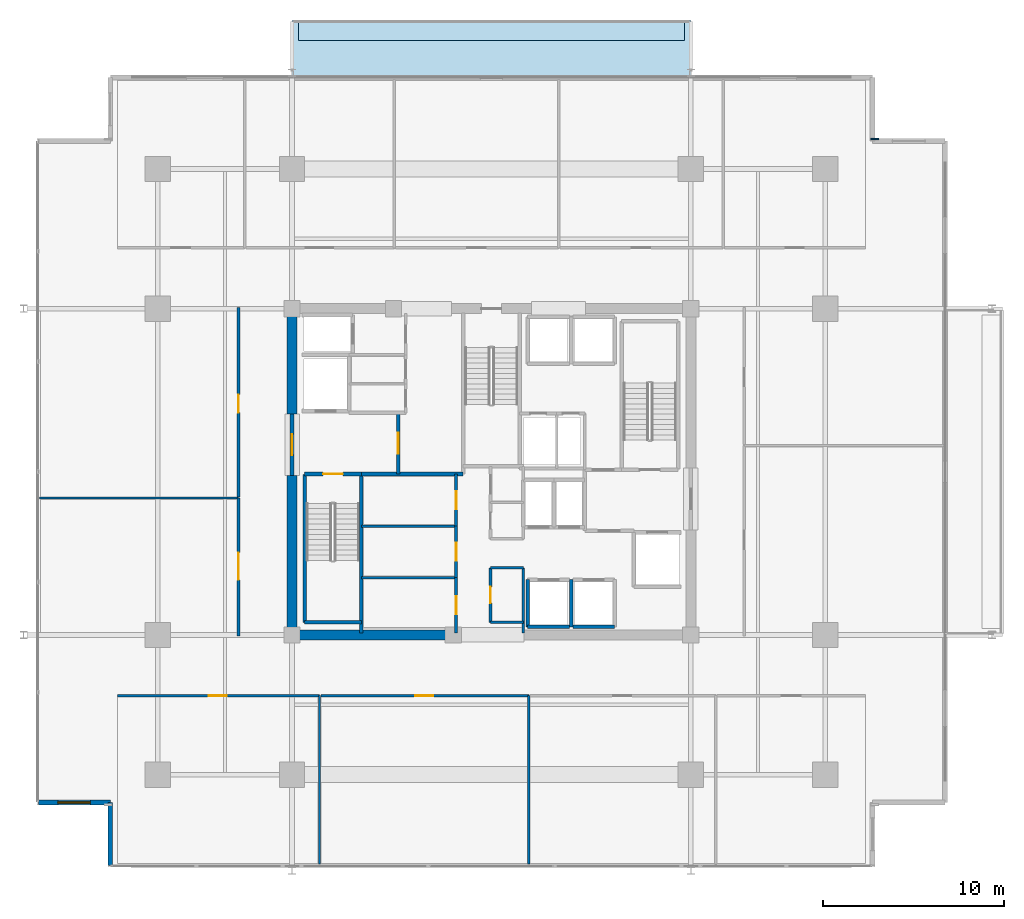
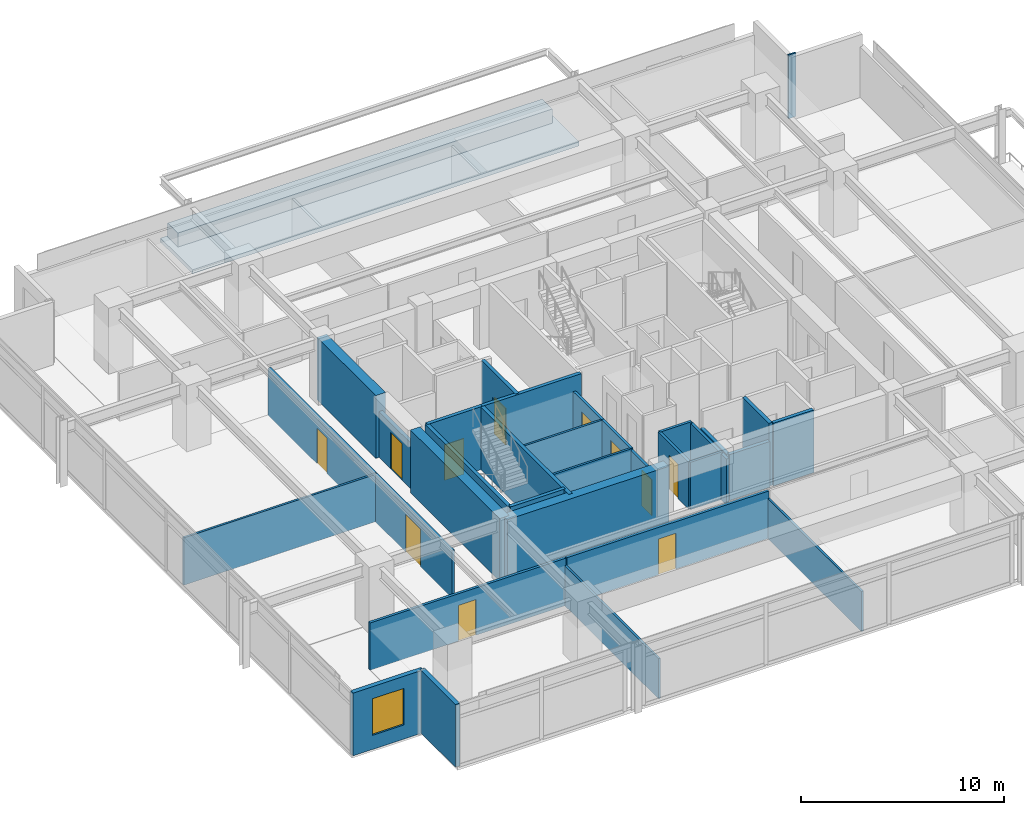
# One storey, part 14 of 21: 32 walls, 11 doors, 2 slabs, 1 plate, 1 window, 12 openings.
"""IFC4 building model written with IfcOpenShell, lengths in metres."""

from ifc_helpers import new_model, si_unit, direction, frame, frame_2d, origin, origin_2d, place, context, subcontext, project, spatial, polyline, rectangle, outline, extrude, material, layer, layer_set, type_object, element, fill, save


model = new_model("IFC4")

# Units and contexts
model_context = context("Model", 3, precision=1e-05, world=origin(), true_north=direction((0.0, 1.0)))
body_context = subcontext(model_context, "Body", "Model", "MODEL_VIEW")
ifc_project = project(units=[si_unit("LENGTHUNIT", "METRE"), si_unit("AREAUNIT", "SQUARE_METRE"), si_unit("VOLUMEUNIT", "CUBIC_METRE"), si_unit("PLANEANGLEUNIT", "RADIAN"), si_unit("MASSUNIT", "GRAM", prefix="KILO")], contexts=[model_context])

# Site, building, storey
site_placement = place(None, origin())
site = spatial("IfcSite", under=ifc_project, at=site_placement, CompositionType="ELEMENT")
building_placement = place(site_placement, origin())
building = spatial("IfcBuilding", under=site, at=building_placement, Name="Kovane Verandah Tower", CompositionType="ELEMENT")
storey_placement = place(building_placement, frame((0.0, 0.0, 209.199951171875)))
storey = spatial("IfcBuildingStorey", under=building, at=storey_placement, Name="L48", CompositionType="ELEMENT", Elevation=209.199951171875)

# Plate
ifc_material_1 = material(Name="Timber-Toned Subtropical Aluminium Vertical Blade", Category="wood")
ifc_layer_1 = layer(ifc_material_1, 0.090087890625)
ifc_layer_set_1 = layer_set([ifc_layer_1], Name="Timber-Toned Subtropical Aluminium Vertical Blade")
plate_type = type_object("IfcPlateType", Name="PL-FIN-90", PredefinedType="USERDEFINED", material=ifc_layer_set_1)
plate_placement = place(storey_placement, frame((61.137939453125, 45.861572265625, -0.02001953125), z_axis=(0.0, 0.0, 1.0), x_axis=(1.0, 0.0, 0.0)))
element("IfcPlate", 1, at=plate_placement, inside=storey, type_object=plate_type, Name="L48 NE Timber-Toned Vertical Corner Fin", ObjectType="FIN", PredefinedType="USERDEFINED", context=body_context, shape_type="SweptSolid", body=[
    extrude(rectangle(XDim=0.419921875, YDim=0.090087890625, at=origin_2d()), origin(), (0.0, 0.0, 1.0), 3.8349609375),
])

# Slabs
ifc_material_2 = material(Name="Concrete C45/55", Category="concrete")
ifc_layer_2 = layer(ifc_material_2, 0.239990234375)
ifc_layer_set_2 = layer_set([ifc_layer_2], Name="Concrete C45/55")
slab_type_1 = type_object("IfcSlabType", Name="SL-BALC-240", PredefinedType="FLOOR", material=ifc_layer_set_2)
slab_1_placement = place(storey_placement, frame((0.0, 0.0, -0.239990234375)))
element("IfcSlab", 2, at=slab_1_placement, inside=storey, type_object=slab_type_1, Name="L48 N Planted Verandah Balcony Slab", PredefinedType="FLOOR", context=body_context, shape_type="SweptSolid", body=[
    extrude(outline(polyline([(29.0, 49.24169921875), (51.0, 49.24169921875), (51.0, 52.3916015625), (29.0, 52.3916015625), (29.0, 49.24169921875)])), origin(), (0.0, 0.0, 1.0), 0.239990234375),
])
ifc_material_3 = material(Name="Architectural Precast Concrete C45/55 Planter Trough", Category="concrete")
ifc_layer_3 = layer(ifc_material_3, 0.219970703125)
ifc_layer_set_3 = layer_set([ifc_layer_3], Name="Architectural Precast Concrete C45/55 Planter Trough")
slab_type_2 = type_object("IfcSlabType", Name="SL-PLANTER-220", PredefinedType="USERDEFINED", material=ifc_layer_set_3)
slab_2_placement = place(storey_placement, origin())
element("IfcSlab", 3, at=slab_2_placement, inside=storey, type_object=slab_type_2, Name="L48 N Structural Tree Planter", ObjectType="PLANTER", PredefinedType="USERDEFINED", context=body_context, shape_type="SweptSolid", body=[
    extrude(outline(polyline([(29.35009765625, 51.29150390625), (50.64990234375, 51.29150390625), (50.64990234375, 52.29150390625), (29.35009765625, 52.29150390625), (29.35009765625, 51.29150390625)])), origin(), (0.0, 0.0, 1.0), 0.85009765625),
])

# Walls
ifc_material_4 = material(Name="Fire-Rated Gypsum Stud Partition", Category="gypsum")
ifc_layer_4 = layer(ifc_material_4, 0.14990234375)
ifc_layer_set_4 = layer_set([ifc_layer_4], Name="Fire-Rated Gypsum Stud Partition")
wall_type_1 = type_object("IfcWallType", Name="WL-COR-150", PredefinedType="PARTITIONING", material=ifc_layer_set_4)
for number, where, z_axis, x_axis, name in (
    (4, (39.949951171875, 19.199951171875, 0.0), (0.0, 0.0, 1.0), (1.0, 0.0, 0.0), "L48 Central Core Strip South Wall"),
    (5, (39.949951171875, 22.199951171875, 0.0), (0.0, 0.0, 1.0), (1.0, 0.0, 0.0), "L48 Core Cross-Passage South Wall"),
):
    element("IfcWall", number, at=place(storey_placement, frame(where, z_axis=z_axis, x_axis=x_axis)), inside=storey, type_object=wall_type_1, Name=name, PredefinedType="PARTITIONING", context=body_context, shape_type="SweptSolid", body=[
        extrude(rectangle(XDim=1.81005859375, YDim=0.14990234375, at=frame_2d((0.905029296875, 0.0))), origin(), (0.0, 0.0, 1.0), 2.85009765625),
    ])
wall_1_placement = place(storey_placement, frame((41.760009765625, 18.60009765625, 0.0), z_axis=(0.0, 0.0, 1.0), x_axis=(0.0, 1.0, 0.0)))
element("IfcWall", 6, at=wall_1_placement, inside=storey, type_object=wall_type_1, Name="L48 Central Core Strip Lower East Wall", PredefinedType="PARTITIONING", context=body_context, shape_type="SweptSolid", body=[
    extrude(rectangle(XDim=3.599853515625, YDim=0.14990234375, at=frame_2d((1.7998046875, 0.0))), origin(), (0.0, 0.0, 1.0), 2.755126953125),
])

# Wall, opening, door
wall_2_placement = place(storey_placement, frame((39.949951171875, 19.199951171875, 0.0), z_axis=(0.0, 0.0, 1.0), x_axis=(0.0, 1.0, 0.0)))
wall_2 = element("IfcWall", 7, at=wall_2_placement, inside=storey, type_object=wall_type_1, Name="L48 Male Toilet Partition", PredefinedType="PARTITIONING", context=body_context, shape_type="SweptSolid", body=[
    extrude(rectangle(XDim=3.0, YDim=0.14990234375, at=frame_2d((1.5, 0.0))), origin(), (0.0, 0.0, 1.0), 2.85009765625),
])
opening_1_placement = place(wall_2_placement, frame((1.050048828125, 0.0, 0.0)))
opening_1 = element("IfcOpeningElement", 8, at=opening_1_placement, cuts=wall_2, Name="Opening DR-L48-032", PredefinedType="OPENING", context=body_context, shape_type="SweptSolid", body=[
    extrude(rectangle(XDim=0.89990234375, YDim=2.10009765625, at=frame_2d((0.449951171875, 1.050048828125))), frame((0.0, 0.074951171875, 0.0), z_axis=(0.0, -1.0, 0.0), x_axis=(1.0, 0.0, 0.0)), (0.0, 0.0, 1.0), 0.14990234375),
])
ifc_material_5 = material(Name="Moisture-Resistant Laminate Washroom Door", Category="wood")
door_type_1 = type_object("IfcDoorType", Name="DR-WC-900", OperationType="SINGLE_SWING_LEFT", PredefinedType="DOOR", material=ifc_material_5)
door_1_placement = place(opening_1_placement, origin())
door_1 = element("IfcDoor", 9, at=door_1_placement, inside=storey, type_object=door_type_1, Name="L48 Male Toilet Door", OperationType="SINGLE_SWING_LEFT", OverallHeight=2.10009765625, OverallWidth=0.89990234375, PredefinedType="DOOR", context=body_context, shape_type="SweptSolid", body=[
    extrude(rectangle(XDim=0.89990234375, YDim=2.10009765625, at=frame_2d((0.449951171875, 1.050048828125))), frame((0.0, 0.02490234375, 0.0), z_axis=(0.0, -1.0, 0.0), x_axis=(1.0, 0.0, 0.0)), (0.0, 0.0, 1.0), 0.050048828125),
])
fill(opening_1, door_1)

wall_3_placement = place(storey_placement, frame((38.050048828125, 18.60009765625, 0.0), z_axis=(0.0, 0.0, 1.0), x_axis=(0.0, 1.0, 0.0)))
wall_3 = element("IfcWall", 10, at=wall_3_placement, inside=storey, type_object=wall_type_1, Name="L48 Project Archive Room Partition", PredefinedType="PARTITIONING", context=body_context, shape_type="SweptSolid", body=[
    extrude(rectangle(XDim=3.059814453125, YDim=0.14990234375, at=frame_2d((1.52978515625, 0.0))), origin(), (0.0, 0.0, 1.0), 2.755126953125),
])
opening_2_placement = place(wall_3_placement, frame((1.030029296875, 0.0, 0.0)))
opening_2 = element("IfcOpeningElement", 11, at=opening_2_placement, cuts=wall_3, Name="Opening DR-L48-015", PredefinedType="OPENING", context=body_context, shape_type="SweptSolid", body=[
    extrude(rectangle(XDim=1.0, YDim=2.14990234375, at=frame_2d((0.5, 1.074951171875))), frame((0.0, 0.074951171875, 0.0), z_axis=(0.0, -1.0, 0.0), x_axis=(1.0, 0.0, 0.0)), (0.0, 0.0, 1.0), 0.14990234375),
])
ifc_material_6 = material(Name="FSC Spotted-Gum Timber Fire-Rated Office Door", Category="wood")
door_type_2 = type_object("IfcDoorType", Name="DR-OFF-1000", OperationType="SINGLE_SWING_LEFT", PredefinedType="DOOR", material=ifc_material_6)
door_2_placement = place(opening_2_placement, origin())
door_2 = element("IfcDoor", 12, at=door_2_placement, inside=storey, type_object=door_type_2, Name="L48 Project Archive Room Door", OperationType="SINGLE_SWING_LEFT", OverallHeight=2.14990234375, OverallWidth=1.0, PredefinedType="DOOR", context=body_context, shape_type="SweptSolid", body=[
    extrude(rectangle(XDim=1.0, YDim=2.14990234375, at=frame_2d((0.5, 1.074951171875))), frame((0.0, 0.02490234375, 0.0), z_axis=(0.0, -1.0, 0.0), x_axis=(1.0, 0.0, 0.0)), (0.0, 0.0, 1.0), 0.050048828125),
])
fill(opening_2, door_2)

wall_4_placement = place(storey_placement, frame((38.050048828125, 21.659912109375, 0.0), z_axis=(0.0, 0.0, 1.0), x_axis=(0.0, 1.0, 0.0)))
wall_4 = element("IfcWall", 13, at=wall_4_placement, inside=storey, type_object=wall_type_1, Name="L48 First Aid and Wellness Room Partition", PredefinedType="PARTITIONING", context=body_context, shape_type="SweptSolid", body=[
    extrude(rectangle(XDim=2.840087890625, YDim=0.14990234375, at=frame_2d((1.419921875, 0.0))), origin(), (0.0, 0.0, 1.0), 2.85009765625),
])
opening_3_placement = place(wall_4_placement, frame((0.919921875, 0.0, 0.0)))
opening_3 = element("IfcOpeningElement", 14, at=opening_3_placement, cuts=wall_4, Name="Opening DR-L48-016", PredefinedType="OPENING", context=body_context, shape_type="SweptSolid", body=[
    extrude(rectangle(XDim=1.0, YDim=2.14990234375, at=frame_2d((0.5, 1.074951171875))), frame((0.0, 0.074951171875, 0.0), z_axis=(0.0, -1.0, 0.0), x_axis=(1.0, 0.0, 0.0)), (0.0, 0.0, 1.0), 0.14990234375),
])
door_3_placement = place(opening_3_placement, origin())
door_3 = element("IfcDoor", 15, at=door_3_placement, inside=storey, type_object=door_type_2, Name="L48 First Aid and Wellness Room Door", OperationType="SINGLE_SWING_RIGHT", OverallHeight=2.14990234375, OverallWidth=1.0, PredefinedType="DOOR", context=body_context, shape_type="SweptSolid", body=[
    extrude(rectangle(XDim=1.0, YDim=2.14990234375, at=frame_2d((0.5, 1.074951171875))), frame((0.0, 0.02490234375, 0.0), z_axis=(0.0, -1.0, 0.0), x_axis=(1.0, 0.0, 0.0)), (0.0, 0.0, 1.0), 0.050048828125),
])
fill(opening_3, door_3)

wall_5_placement = place(storey_placement, frame((38.050048828125, 24.5, 0.0), z_axis=(0.0, 0.0, 1.0), x_axis=(0.0, 1.0, 0.0)))
wall_5 = element("IfcWall", 16, at=wall_5_placement, inside=storey, type_object=wall_type_1, Name="L48 Tea and Copy Hub Partition", PredefinedType="PARTITIONING", context=body_context, shape_type="SweptSolid", body=[
    extrude(rectangle(XDim=2.8798828125, YDim=0.14990234375, at=frame_2d((1.43994140625, 0.0))), origin(), (0.0, 0.0, 1.0), 2.85009765625),
])
opening_4_placement = place(wall_5_placement, frame((0.93994140625, 0.0, 0.0)))
opening_4 = element("IfcOpeningElement", 17, at=opening_4_placement, cuts=wall_5, Name="Opening DR-L48-017", PredefinedType="OPENING", context=body_context, shape_type="SweptSolid", body=[
    extrude(rectangle(XDim=1.0, YDim=2.14990234375, at=frame_2d((0.5, 1.074951171875))), frame((0.0, 0.074951171875, 0.0), z_axis=(0.0, -1.0, 0.0), x_axis=(1.0, 0.0, 0.0)), (0.0, 0.0, 1.0), 0.14990234375),
])
door_4_placement = place(opening_4_placement, origin())
door_4 = element("IfcDoor", 18, at=door_4_placement, inside=storey, type_object=door_type_2, Name="L48 Tea and Copy Hub Door", OperationType="SINGLE_SWING_LEFT", OverallHeight=2.14990234375, OverallWidth=1.0, PredefinedType="DOOR", context=body_context, shape_type="SweptSolid", body=[
    extrude(rectangle(XDim=1.0, YDim=2.14990234375, at=frame_2d((0.5, 1.074951171875))), frame((0.0, 0.02490234375, 0.0), z_axis=(0.0, -1.0, 0.0), x_axis=(1.0, 0.0, 0.0)), (0.0, 0.0, 1.0), 0.050048828125),
])
fill(opening_4, door_4)

wall_6_placement = place(storey_placement, frame((19.382080078125, 15.14990234375, 0.0), z_axis=(0.0, 0.0, 1.0), x_axis=(1.0, 0.0, 0.0)))
wall_6 = element("IfcWall", 19, at=wall_6_placement, inside=storey, type_object=wall_type_1, Name="L48 Collaboration Hub S1 Corridor Partition", PredefinedType="PARTITIONING", context=body_context, shape_type="SweptSolid", body=[
    extrude(rectangle(XDim=11.1337890625, YDim=0.14990234375, at=frame_2d((5.56689453125, 0.0))), origin(), (0.0, 0.0, 1.0), 2.85009765625),
])
opening_5_placement = place(wall_6_placement, frame((5.03173828125, 0.0, 0.0)))
opening_5 = element("IfcOpeningElement", 20, at=opening_5_placement, cuts=wall_6, Name="Opening DR-L48-025", PredefinedType="OPENING", context=body_context, shape_type="SweptSolid", body=[
    extrude(rectangle(XDim=1.0, YDim=2.14990234375, at=frame_2d((0.5, 1.074951171875))), frame((0.0, 0.074951171875, 0.0), z_axis=(0.0, -1.0, 0.0), x_axis=(1.0, 0.0, 0.0)), (0.0, 0.0, 1.0), 0.14990234375),
])
door_5_placement = place(opening_5_placement, origin())
door_5 = element("IfcDoor", 21, at=door_5_placement, inside=storey, type_object=door_type_2, Name="L48 Collaboration Hub S1 Entrance Door", OperationType="SINGLE_SWING_LEFT", OverallHeight=2.14990234375, OverallWidth=1.0, PredefinedType="DOOR", context=body_context, shape_type="SweptSolid", body=[
    extrude(rectangle(XDim=1.0, YDim=2.14990234375, at=frame_2d((0.5, 1.074951171875))), frame((0.0, 0.02490234375, 0.0), z_axis=(0.0, -1.0, 0.0), x_axis=(1.0, 0.0, 0.0)), (0.0, 0.0, 1.0), 0.050048828125),
])
fill(opening_5, door_5)

wall_7_placement = place(storey_placement, frame((30.585693359375, 15.14990234375, 0.0), z_axis=(0.0, 0.0, 1.0), x_axis=(1.0, 0.0, 0.0)))
wall_7 = element("IfcWall", 22, at=wall_7_placement, inside=storey, type_object=wall_type_1, Name="L48 Document and Print Room S2 Corridor Partition", PredefinedType="PARTITIONING", context=body_context, shape_type="SweptSolid", body=[
    extrude(rectangle(XDim=11.47607421875, YDim=0.14990234375, at=frame_2d((5.738037109375, 0.0))), origin(), (0.0, 0.0, 1.0), 2.85009765625),
])
opening_6_placement = place(wall_7_placement, frame((5.202880859375, 0.0, 0.0)))
opening_6 = element("IfcOpeningElement", 23, at=opening_6_placement, cuts=wall_7, Name="Opening DR-L48-026", PredefinedType="OPENING", context=body_context, shape_type="SweptSolid", body=[
    extrude(rectangle(XDim=1.0, YDim=2.14990234375, at=frame_2d((0.5, 1.074951171875))), frame((0.0, 0.074951171875, 0.0), z_axis=(0.0, -1.0, 0.0), x_axis=(1.0, 0.0, 0.0)), (0.0, 0.0, 1.0), 0.14990234375),
])
door_6_placement = place(opening_6_placement, origin())
door_6 = element("IfcDoor", 24, at=door_6_placement, inside=storey, type_object=door_type_2, Name="L48 Document and Print Room S2 Entrance Door", OperationType="SINGLE_SWING_RIGHT", OverallHeight=2.14990234375, OverallWidth=1.0, PredefinedType="DOOR", context=body_context, shape_type="SweptSolid", body=[
    extrude(rectangle(XDim=1.0, YDim=2.14990234375, at=frame_2d((0.5, 1.074951171875))), frame((0.0, 0.02490234375, 0.0), z_axis=(0.0, -1.0, 0.0), x_axis=(1.0, 0.0, 0.0)), (0.0, 0.0, 1.0), 0.050048828125),
])
fill(opening_6, door_6)

wall_8_placement = place(storey_placement, frame((26.050048828125, 18.449951171875, 0.0), z_axis=(0.0, 0.0, 1.0), x_axis=(0.0, 1.0, 0.0)))
wall_8 = element("IfcWall", 25, at=wall_8_placement, inside=storey, type_object=wall_type_1, Name="L48 Client Boardroom W1 Corridor Partition", PredefinedType="PARTITIONING", context=body_context, shape_type="SweptSolid", body=[
    extrude(rectangle(XDim=7.60205078125, YDim=0.14990234375, at=frame_2d((3.801025390625, 0.0))), origin(), (0.0, 0.0, 1.0), 2.85009765625),
])
opening_7_placement = place(wall_8_placement, frame((3.091064453125, 0.0, 0.0)))
opening_7 = element("IfcOpeningElement", 26, at=opening_7_placement, cuts=wall_8, Name="Opening DR-L48-033", PredefinedType="OPENING", context=body_context, shape_type="SweptSolid", body=[
    extrude(rectangle(XDim=1.5, YDim=2.25, at=frame_2d((0.75, 1.125))), frame((0.0, 0.074951171875, 0.0), z_axis=(0.0, -1.0, 0.0), x_axis=(1.0, 0.0, 0.0)), (0.0, 0.0, 1.0), 0.14990234375),
])
ifc_material_7 = material(Name="Glazed Timber Fire-Rated Double Door", Category="wood")
door_type_3 = type_object("IfcDoorType", Name="DR-CONF-1500", OperationType="DOUBLE_DOOR_SINGLE_SWING", PredefinedType="DOOR", material=ifc_material_7)
door_7_placement = place(opening_7_placement, origin())
door_7 = element("IfcDoor", 27, at=door_7_placement, inside=storey, type_object=door_type_3, Name="L48 Client Boardroom W1 Entrance Door", OperationType="DOUBLE_DOOR_SINGLE_SWING", OverallHeight=2.25, OverallWidth=1.5, PredefinedType="DOOR", context=body_context, shape_type="SweptSolid", body=[
    extrude(rectangle(XDim=1.5, YDim=2.25, at=frame_2d((0.75, 1.125))), frame((0.0, 0.02490234375, 0.0), z_axis=(0.0, -1.0, 0.0), x_axis=(1.0, 0.0, 0.0)), (0.0, 0.0, 1.0), 0.050048828125),
])
fill(opening_7, door_7)

wall_9_placement = place(storey_placement, frame((26.050048828125, 26.1220703125, 0.0), z_axis=(0.0, 0.0, 1.0), x_axis=(0.0, 1.0, 0.0)))
wall_9 = element("IfcWall", 28, at=wall_9_placement, inside=storey, type_object=wall_type_1, Name="L48 Meeting Room W2 Corridor Partition", PredefinedType="PARTITIONING", context=body_context, shape_type="SweptSolid", body=[
    extrude(rectangle(XDim=10.427978515625, YDim=0.14990234375, at=frame_2d((5.2138671875, 0.0))), origin(), (0.0, 0.0, 1.0), 2.85009765625),
])
opening_8_placement = place(wall_9_placement, frame((4.638916015625, 0.0, 0.0)))
opening_8 = element("IfcOpeningElement", 29, at=opening_8_placement, cuts=wall_9, Name="Opening DR-L48-034", PredefinedType="OPENING", context=body_context, shape_type="SweptSolid", body=[
    extrude(rectangle(XDim=1.0, YDim=2.14990234375, at=frame_2d((0.5, 1.074951171875))), frame((0.0, 0.074951171875, 0.0), z_axis=(0.0, -1.0, 0.0), x_axis=(1.0, 0.0, 0.0)), (0.0, 0.0, 1.0), 0.14990234375),
])
door_8_placement = place(opening_8_placement, origin())
door_8 = element("IfcDoor", 30, at=door_8_placement, inside=storey, type_object=door_type_2, Name="L48 Meeting Room W2 Entrance Door", OperationType="SINGLE_SWING_RIGHT", OverallHeight=2.14990234375, OverallWidth=1.0, PredefinedType="DOOR", context=body_context, shape_type="SweptSolid", body=[
    extrude(rectangle(XDim=1.0, YDim=2.14990234375, at=frame_2d((0.5, 1.074951171875))), frame((0.0, 0.02490234375, 0.0), z_axis=(0.0, -1.0, 0.0), x_axis=(1.0, 0.0, 0.0)), (0.0, 0.0, 1.0), 0.050048828125),
])
fill(opening_8, door_8)

# Walls
ifc_material_8 = material(Name="Concrete C60/75", Category="concrete")
ifc_layer_5 = layer(ifc_material_8, 0.550048828125)
ifc_layer_set_5 = layer_set([ifc_layer_5], Name="Concrete C60/75")
wall_type_2 = type_object("IfcWallType", Name="WL-CORE-550", PredefinedType="SHEAR", material=ifc_layer_set_5)
wall_10_placement = place(storey_placement, frame((29.0, 18.5, 0.0), z_axis=(0.0, 0.0, 1.0), x_axis=(1.0, 0.0, 0.0)))
element("IfcWall", 31, at=wall_10_placement, inside=storey, type_object=wall_type_2, Name="L48 Core Shear Wall CS-1", PredefinedType="SHEAR", context=body_context, shape_type="SweptSolid", body=[
    extrude(rectangle(XDim=9.199951171875, YDim=0.550048828125, at=frame_2d((4.60009765625, 0.0))), origin(), (0.0, 0.0, 1.0), 3.775146484375),
])
wall_11_placement = place(storey_placement, frame((29.0, 18.5, 0.0), z_axis=(0.0, 0.0, 1.0), x_axis=(0.0, 1.0, 0.0)))
element("IfcWall", 32, at=wall_11_placement, inside=storey, type_object=wall_type_2, Name="L48 Core Shear Wall CW-1", PredefinedType="SHEAR", context=body_context, shape_type="SweptSolid", body=[
    extrude(rectangle(XDim=8.800048828125, YDim=0.550048828125, at=frame_2d((4.39990234375, 0.0))), origin(), (0.0, 0.0, 1.0), 3.775146484375),
])
wall_12_placement = place(storey_placement, frame((29.0, 30.699951171875, 0.0), z_axis=(0.0, 0.0, 1.0), x_axis=(0.0, 1.0, 0.0)))
element("IfcWall", 33, at=wall_12_placement, inside=storey, type_object=wall_type_2, Name="L48 Core Shear Wall CW-2", PredefinedType="SHEAR", context=body_context, shape_type="SweptSolid", body=[
    extrude(rectangle(XDim=5.800048828125, YDim=0.550048828125, at=frame_2d((2.89990234375, 0.0))), origin(), (0.0, 0.0, 1.0), 3.775146484375),
])

# Wall, opening, door
ifc_material_9 = material(Name="Concrete C45/55 Fire Wall", Category="concrete")
ifc_layer_6 = layer(ifc_material_9, 0.199951171875)
ifc_layer_set_6 = layer_set([ifc_layer_6], Name="Concrete C45/55 Fire Wall")
wall_type_3 = type_object("IfcWallType", Name="WL-FFL-200", PredefinedType="PARTITIONING", material=ifc_layer_set_6)
wall_13_placement = place(storey_placement, frame((34.85009765625, 27.3798828125, 0.0), z_axis=(0.0, 0.0, 1.0), x_axis=(0.0, 1.0, 0.0)))
wall_13 = element("IfcWall", 34, at=wall_13_placement, inside=storey, type_object=wall_type_3, Name="W-L48-FFLW-E", PredefinedType="PARTITIONING", context=body_context, shape_type="SweptSolid", body=[
    extrude(rectangle(XDim=3.3701171875, YDim=0.199951171875, at=frame_2d((1.68505859375, 0.0))), origin(), (0.0, 0.0, 1.0), 3.775146484375),
])
opening_9_placement = place(wall_13_placement, frame((1.110107421875, 0.0, 0.0)))
opening_9 = element("IfcOpeningElement", 35, at=opening_9_placement, cuts=wall_13, Name="Opening DR-L48-006", PredefinedType="OPENING", context=body_context, shape_type="SweptSolid", body=[
    extrude(rectangle(XDim=1.14990234375, YDim=2.199951171875, at=frame_2d((0.574951171875, 1.10009765625))), frame((0.0, 0.10009765625, 0.0), z_axis=(0.0, -1.0, 0.0), x_axis=(1.0, 0.0, 0.0)), (0.0, 0.0, 1.0), 0.199951171875),
])
ifc_material_10 = material(Name="Smoke-Sealed Firefighting Lobby Door", Category="steel")
door_type_4 = type_object("IfcDoorType", Name="DR-FFL-1150", OperationType="SINGLE_SWING_LEFT", PredefinedType="DOOR", material=ifc_material_10)
door_9_placement = place(opening_9_placement, origin())
door_9 = element("IfcDoor", 36, at=door_9_placement, inside=storey, type_object=door_type_4, Name="L48 West Firefighting Lobby Inner Door", OperationType="SINGLE_SWING_LEFT", OverallHeight=2.199951171875, OverallWidth=1.14990234375, PredefinedType="DOOR", context=body_context, shape_type="SweptSolid", body=[
    extrude(rectangle(XDim=1.14990234375, YDim=2.199951171875, at=frame_2d((0.574951171875, 1.10009765625))), frame((0.0, 0.02490234375, 0.0), z_axis=(0.0, -1.0, 0.0), x_axis=(1.0, 0.0, 0.0)), (0.0, 0.0, 1.0), 0.050048828125),
])
fill(opening_9, door_9)

wall_14_placement = place(storey_placement, frame((29.0, 27.300048828125, 0.0), z_axis=(0.0, 0.0, 1.0), x_axis=(0.0, 1.0, 0.0)))
wall_14 = element("IfcWall", 37, at=wall_14_placement, inside=storey, type_object=wall_type_3, Name="W-L48-FFLW-OUT", PredefinedType="PARTITIONING", context=body_context, shape_type="SweptSolid", body=[
    extrude(rectangle(XDim=3.39990234375, YDim=0.199951171875, at=frame_2d((1.699951171875, 0.0))), origin(), (0.0, 0.0, 1.0), 2.755126953125),
])
opening_10_placement = place(wall_14_placement, frame((1.125, 0.0, 0.0)))
opening_10 = element("IfcOpeningElement", 38, at=opening_10_placement, cuts=wall_14, Name="Opening DR-L48-007", PredefinedType="OPENING", context=body_context, shape_type="SweptSolid", body=[
    extrude(rectangle(XDim=1.14990234375, YDim=2.199951171875, at=frame_2d((0.574951171875, 1.10009765625))), frame((0.0, 0.10009765625, 0.0), z_axis=(0.0, -1.0, 0.0), x_axis=(1.0, 0.0, 0.0)), (0.0, 0.0, 1.0), 0.199951171875),
])
door_10_placement = place(opening_10_placement, origin())
door_10 = element("IfcDoor", 39, at=door_10_placement, inside=storey, type_object=door_type_4, Name="L48 West Firefighting Lobby Corridor Door", OperationType="SINGLE_SWING_RIGHT", OverallHeight=2.199951171875, OverallWidth=1.14990234375, PredefinedType="DOOR", context=body_context, shape_type="SweptSolid", body=[
    extrude(rectangle(XDim=1.14990234375, YDim=2.199951171875, at=frame_2d((0.574951171875, 1.10009765625))), frame((0.0, 0.02490234375, 0.0), z_axis=(0.0, -1.0, 0.0), x_axis=(1.0, 0.0, 0.0)), (0.0, 0.0, 1.0), 0.050048828125),
])
fill(opening_10, door_10)

# Walls
wall_15_placement = place(storey_placement, frame((32.820068359375, 27.3798828125, 0.0), z_axis=(0.0, 0.0, 1.0), x_axis=(1.0, 0.0, 0.0)))
element("IfcWall", 40, at=wall_15_placement, inside=storey, type_object=wall_type_3, Name="L48 West Firefighting Lobby South Fire Wall", PredefinedType="PARTITIONING", context=body_context, shape_type="SweptSolid", body=[
    extrude(rectangle(XDim=5.619873046875, YDim=0.199951171875, at=frame_2d((2.81005859375, 0.0))), origin(), (0.0, 0.0, 1.0), 3.775146484375),
])
ifc_material_11 = material(Name="Concrete C45/55 Lift Shaft Wall", Category="concrete")
ifc_layer_7 = layer(ifc_material_11, 0.199951171875)
ifc_layer_set_7 = layer_set([ifc_layer_7], Name="Concrete C45/55 Lift Shaft Wall")
wall_type_4 = type_object("IfcWallType", Name="WL-LIFT-200", PredefinedType="SOLIDWALL", material=ifc_layer_set_7)
wall_16_placement = place(storey_placement, frame((42.0, 18.949951171875, 0.0), z_axis=(0.0, 0.0, 1.0), x_axis=(1.0, 0.0, 0.0)))
element("IfcWall", 41, at=wall_16_placement, inside=storey, type_object=wall_type_4, Name="L48 Lift PL-M1 S Shaft Wall", PredefinedType="SOLIDWALL", context=body_context, shape_type="SweptSolid", body=[
    extrude(rectangle(XDim=2.300048828125, YDim=0.199951171875, at=frame_2d((1.14990234375, 0.0))), origin(), (0.0, 0.0, 1.0), 2.755126953125),
])
wall_17_placement = place(storey_placement, frame((42.0, 21.550048828125, 0.0), z_axis=(0.0, 0.0, 1.0), x_axis=(0.0, -1.0, 0.0)))
element("IfcWall", 42, at=wall_17_placement, inside=storey, type_object=wall_type_4, Name="L48 Lift PL-M1 W Shaft Wall", PredefinedType="SOLIDWALL", context=body_context, shape_type="SweptSolid", body=[
    extrude(rectangle(XDim=2.60009765625, YDim=0.199951171875, at=frame_2d((1.300048828125, 0.0))), origin(), (0.0, 0.0, 1.0), 2.755126953125),
])
wall_18_placement = place(storey_placement, frame((44.39990234375, 18.949951171875, 0.0), z_axis=(0.0, 0.0, 1.0), x_axis=(0.0, 1.0, 0.0)))
element("IfcWall", 43, at=wall_18_placement, inside=storey, type_object=wall_type_4, Name="L48 Lift PL-M1 and PL-M2 Shared Shaft Wall", PredefinedType="SOLIDWALL", context=body_context, shape_type="SweptSolid", body=[
    extrude(rectangle(XDim=2.60009765625, YDim=0.199951171875, at=frame_2d((1.300048828125, 0.0))), origin(), (0.0, 0.0, 1.0), 3.775146484375),
])
wall_19_placement = place(storey_placement, frame((44.5, 18.949951171875, 0.0), z_axis=(0.0, 0.0, 1.0), x_axis=(1.0, 0.0, 0.0)))
element("IfcWall", 44, at=wall_19_placement, inside=storey, type_object=wall_type_4, Name="L48 Lift PL-M2 S Shaft Wall", PredefinedType="SOLIDWALL", context=body_context, shape_type="SweptSolid", body=[
    extrude(rectangle(XDim=2.300048828125, YDim=0.199951171875, at=frame_2d((1.14990234375, 0.0))), origin(), (0.0, 0.0, 1.0), 3.775146484375),
])
ifc_material_12 = material(Name="Acoustic Fire-Rated Gypsum Partition", Category="gypsum")
ifc_layer_8 = layer(ifc_material_12, 0.1201171875)
ifc_layer_set_8 = layer_set([ifc_layer_8], Name="Acoustic Fire-Rated Gypsum Partition")
wall_type_5 = type_object("IfcWallType", Name="WL-PART-120", PredefinedType="PARTITIONING", material=ifc_layer_set_8)
for number, where, z_axis, x_axis, name in (
    (45, (32.820068359375, 21.659912109375, 0.0), (0.0, 0.0, 1.0), (1.0, 0.0, 0.0), "L48 Core Support Lower Dividing Partition"),
    (46, (32.820068359375, 24.5, 0.0), (0.0, 0.0, 1.0), (1.0, 0.0, 0.0), "L48 Core Support Upper Dividing Partition"),
):
    element("IfcWall", number, at=place(storey_placement, frame(where, z_axis=z_axis, x_axis=x_axis)), inside=storey, type_object=wall_type_5, Name=name, PredefinedType="PARTITIONING", context=body_context, shape_type="SweptSolid", body=[
        extrude(rectangle(XDim=5.22998046875, YDim=0.1201171875, at=frame_2d((2.614990234375, 0.0))), origin(), (0.0, 0.0, 1.0), 2.85009765625),
    ])
for number, where, z_axis, x_axis, name in (
    (47, (30.515869140625, 5.8583984375, 0.0), (0.0, 0.0, 1.0), (0.0, 1.0, 0.0), "L48 Collaboration Hub S1 Dividing Partition"),
    (48, (42.061767578125, 5.8583984375, 0.0), (0.0, 0.0, 1.0), (0.0, 1.0, 0.0), "L48 Document and Print Room S2 Dividing Partition"),
):
    element("IfcWall", number, at=place(storey_placement, frame(where, z_axis=z_axis, x_axis=x_axis)), inside=storey, type_object=wall_type_5, Name=name, PredefinedType="PARTITIONING", context=body_context, shape_type="SweptSolid", body=[
        extrude(rectangle(XDim=9.29150390625, YDim=0.1201171875, at=frame_2d((4.645751953125, 0.0))), origin(), (0.0, 0.0, 1.0), 2.405029296875),
    ])
wall_20_placement = place(storey_placement, frame((15.08203125, 26.052001953125, 0.0), z_axis=(0.0, 0.0, 1.0), x_axis=(1.0, 0.0, 0.0)))
element("IfcWall", 49, at=wall_20_placement, inside=storey, type_object=wall_type_5, Name="L48 Client Boardroom W1 Dividing Partition", PredefinedType="PARTITIONING", context=body_context, shape_type="SweptSolid", body=[
    extrude(rectangle(XDim=10.968017578125, YDim=0.1201171875, at=frame_2d((5.48388671875, 0.0))), origin(), (0.0, 0.0, 1.0), 2.85009765625),
])
ifc_layer_9 = layer(ifc_material_2, 0.199951171875)
ifc_layer_set_9 = layer_set([ifc_layer_9], Name="Concrete C45/55")
wall_type_6 = type_object("IfcWallType", Name="WL-SHAFT-200", PredefinedType="SOLIDWALL", material=ifc_layer_set_9)
wall_21_placement = place(storey_placement, frame((29.699951171875, 19.199951171875, 0.0), z_axis=(0.0, 0.0, 1.0), x_axis=(0.0, 1.0, 0.0)))
element("IfcWall", 50, at=wall_21_placement, inside=storey, type_object=wall_type_6, Name="W-L48-ST01-W", PredefinedType="SOLIDWALL", context=body_context, shape_type="SweptSolid", body=[
    extrude(rectangle(XDim=8.150146484375, YDim=0.199951171875, at=frame_2d((4.0751953125, 0.0))), origin(), (0.0, 0.0, 1.0), 3.775146484375),
])
wall_22_placement = place(storey_placement, frame((29.699951171875, 19.199951171875, 0.0), z_axis=(0.0, 0.0, 1.0), x_axis=(1.0, 0.0, 0.0)))
element("IfcWall", 51, at=wall_22_placement, inside=storey, type_object=wall_type_6, Name="W-L48-ST01-S", PredefinedType="SOLIDWALL", context=body_context, shape_type="SweptSolid", body=[
    extrude(rectangle(XDim=3.1201171875, YDim=0.199951171875, at=frame_2d((1.56005859375, 0.0))), origin(), (0.0, 0.0, 1.0), 3.775146484375),
])
wall_23_placement = place(storey_placement, frame((32.820068359375, 18.60009765625, 0.0), z_axis=(0.0, 0.0, 1.0), x_axis=(0.0, 1.0, 0.0)))
element("IfcWall", 52, at=wall_23_placement, inside=storey, type_object=wall_type_6, Name="W-L48-ST01-E", PredefinedType="SOLIDWALL", context=body_context, shape_type="SweptSolid", body=[
    extrude(rectangle(XDim=8.77978515625, YDim=0.199951171875, at=frame_2d((4.389892578125, 0.0))), origin(), (0.0, 0.0, 1.0), 3.775146484375),
])

# Wall, opening, door
wall_24_placement = place(storey_placement, frame((29.699951171875, 27.3798828125, 0.0), z_axis=(0.0, 0.0, 1.0), x_axis=(1.0, 0.0, 0.0)))
wall_24 = element("IfcWall", 53, at=wall_24_placement, inside=storey, type_object=wall_type_6, Name="W-L48-ST01-N", PredefinedType="SOLIDWALL", context=body_context, shape_type="SweptSolid", body=[
    extrude(rectangle(XDim=3.1201171875, YDim=0.199951171875, at=frame_2d((1.56005859375, 0.0))), origin(), (0.0, 0.0, 1.0), 3.775146484375),
])
opening_11_placement = place(wall_24_placement, frame((1.010009765625, 0.0, 0.0)))
opening_11 = element("IfcOpeningElement", 54, at=opening_11_placement, cuts=wall_24, Name="Opening DR-L48-009", PredefinedType="OPENING", context=body_context, shape_type="SweptSolid", body=[
    extrude(rectangle(XDim=1.10009765625, YDim=2.14990234375, at=frame_2d((0.550048828125, 1.074951171875))), frame((0.0, 0.10009765625, 0.0), z_axis=(0.0, -1.0, 0.0), x_axis=(1.0, 0.0, 0.0)), (0.0, 0.0, 1.0), 0.199951171875),
])
ifc_material_13 = material(Name="Fire-Rated Steel Exit Door", Category="steel")
door_type_5 = type_object("IfcDoorType", Name="DR-STAIR-1100", OperationType="SINGLE_SWING_LEFT", PredefinedType="DOOR", material=ifc_material_13)
door_11_placement = place(opening_11_placement, origin())
door_11 = element("IfcDoor", 55, at=door_11_placement, inside=storey, type_object=door_type_5, Name="L48 ST-01 Fire Exit Stair Door", OperationType="SINGLE_SWING_RIGHT", OverallHeight=2.14990234375, OverallWidth=1.10009765625, PredefinedType="DOOR", context=body_context, shape_type="SweptSolid", body=[
    extrude(rectangle(XDim=1.10009765625, YDim=2.14990234375, at=frame_2d((0.550048828125, 1.074951171875))), frame((0.0, 0.02490234375, 0.0), z_axis=(0.0, -1.0, 0.0), x_axis=(1.0, 0.0, 0.0)), (0.0, 0.0, 1.0), 0.050048828125),
])
fill(opening_11, door_11)

# Wall, opening, window
ifc_material_14 = material(Name="Concrete C45/55 Insulated Spandrel Wall", Category="concrete")
ifc_layer_10 = layer(ifc_material_14, 0.260009765625)
ifc_layer_set_10 = layer_set([ifc_layer_10], Name="Concrete C45/55 Insulated Spandrel Wall")
wall_type_7 = type_object("IfcWallType", Name="WL-SPANDREL-260", PredefinedType="PARAPET", material=ifc_layer_set_10)
wall_25_placement = place(storey_placement, frame((14.982177734375, 9.25830078125, 0.0), z_axis=(0.0, 0.0, 1.0), x_axis=(1.0, 0.0, 0.0)))
wall_25 = element("IfcWall", 56, at=wall_25_placement, inside=storey, type_object=wall_type_7, Name="L48 SW Notch Cheek Wall 1", PredefinedType="PARAPET", context=body_context, shape_type="SweptSolid", body=[
    extrude(rectangle(XDim=4.0, YDim=0.260009765625, at=frame_2d((2.0, 0.0))), origin(), (0.0, 0.0, 1.0), 3.775146484375),
])
opening_12_placement = place(wall_25_placement, frame((1.10009765625, 0.0, 0.85009765625)))
opening_12 = element("IfcOpeningElement", 57, at=opening_12_placement, cuts=wall_25, Name="Opening W-03", PredefinedType="OPENING", context=body_context, shape_type="SweptSolid", body=[
    extrude(rectangle(XDim=1.800048828125, YDim=2.199951171875, at=frame_2d((0.89990234375, 1.10009765625))), frame((0.0, 0.1298828125, 0.0), z_axis=(0.0, -1.0, 0.0), x_axis=(1.0, 0.0, 0.0)), (0.0, 0.0, 1.0), 0.260009765625),
])
ifc_material_15 = material(Name="Clear Low-E Laminated Double Glazing in Anodised Frame", Category="glass")
window_type = type_object("IfcWindowType", Name="WN-NOTCH-1800x2200", PartitioningType="SINGLE_PANEL", PredefinedType="WINDOW", material=ifc_material_15)
window_placement = place(opening_12_placement, origin())
window = element("IfcWindow", 58, at=window_placement, inside=storey, type_object=window_type, Name="L48 SW Re-Entrant Corner Operable Window", OverallHeight=2.199951171875, OverallWidth=1.800048828125, PartitioningType="SINGLE_PANEL", PredefinedType="WINDOW", context=body_context, shape_type="SweptSolid", body=[
    extrude(rectangle(XDim=1.800048828125, YDim=2.199951171875, at=frame_2d((0.89990234375, 1.10009765625))), frame((0.0, 0.030029296875, 0.0), z_axis=(0.0, -1.0, 0.0), x_axis=(1.0, 0.0, 0.0)), (0.0, 0.0, 1.0), 0.06005859375),
])
fill(opening_12, window)

# Wall
wall_26_placement = place(storey_placement, frame((18.982177734375, 9.25830078125, 0.0), z_axis=(0.0, 0.0, 1.0), x_axis=(0.0, -1.0, 0.0)))
element("IfcWall", 59, at=wall_26_placement, inside=storey, type_object=wall_type_7, Name="L48 SW Notch Cheek Wall 2", PredefinedType="PARAPET", context=body_context, shape_type="SweptSolid", body=[
    extrude(rectangle(XDim=3.5, YDim=0.260009765625, at=frame_2d((1.75, 0.0))), origin(), (0.0, 0.0, 1.0), 3.775146484375),
])

save(model, "model.ifc")
